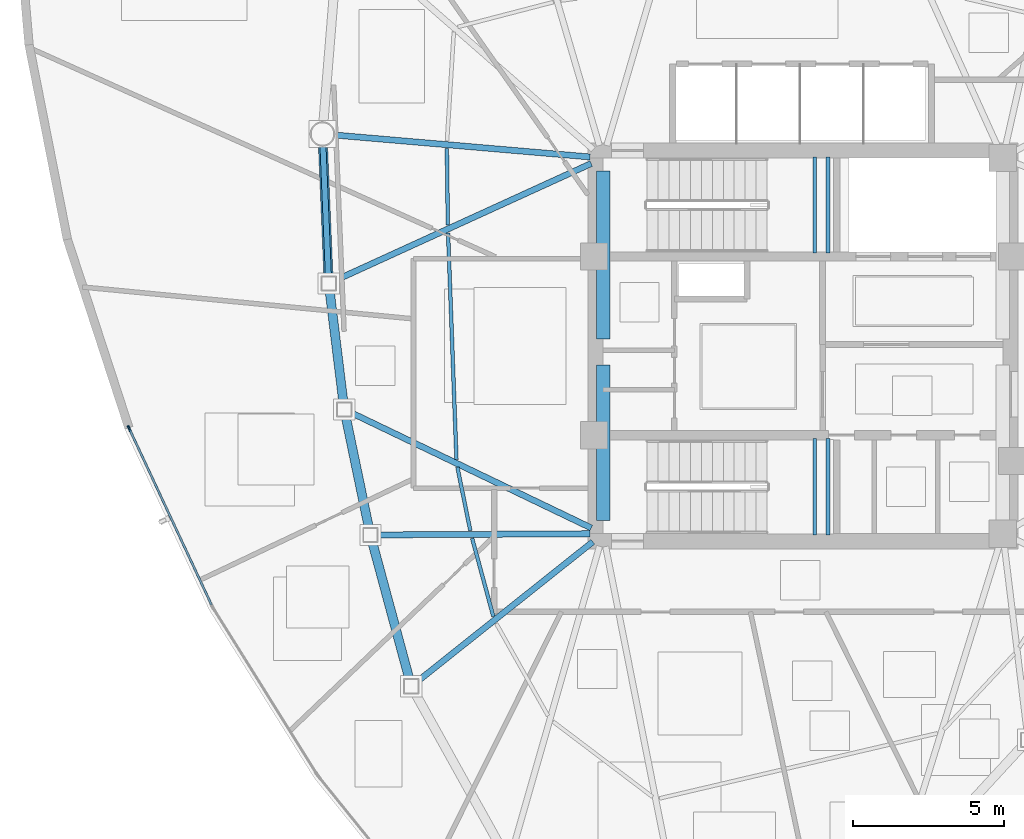
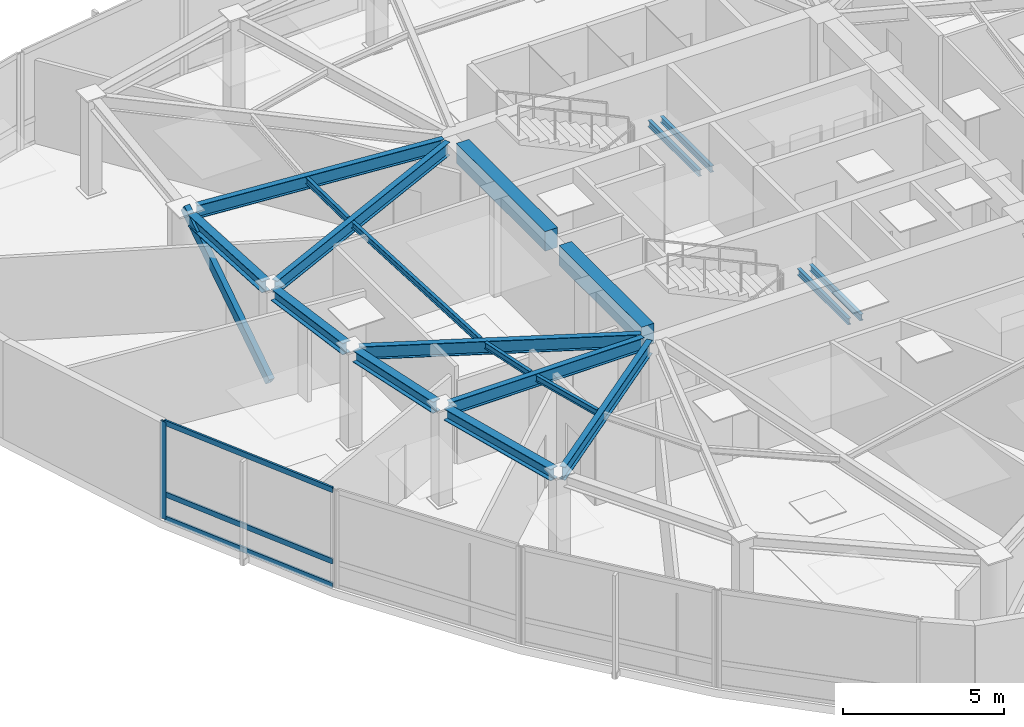
# One storey, part 3 of 12: 19 beams, 5 members, 1 element without a shape of its own.
"""IFC4 building model written with IfcOpenShell, lengths in metres."""

from ifc_helpers import new_model, si_unit, direction, frame, origin, origin_2d, place, context, subcontext, project, spatial, rectangle, hollow_rectangle, i_section, extrude, source, transform, mapped, material, layer, layer_set, material_profile, profile_set, type_object, type_shapes, element, aggregate, save


model = new_model("IFC4")

# Units and contexts
model_context = context("Model", 3, precision=1e-05, world=origin(), true_north=direction((0.0, 1.0)))
body_context = subcontext(model_context, "Body", "Model", "MODEL_VIEW")
ifc_project = project(units=[si_unit("LENGTHUNIT", "METRE"), si_unit("AREAUNIT", "SQUARE_METRE"), si_unit("VOLUMEUNIT", "CUBIC_METRE"), si_unit("PLANEANGLEUNIT", "RADIAN"), si_unit("MASSUNIT", "GRAM", prefix="KILO")], contexts=[model_context])

# Site, building, storey
site_placement = place(None, origin())
site = spatial("IfcSite", under=ifc_project, at=site_placement, CompositionType="ELEMENT")
building_placement = place(site_placement, origin())
building = spatial("IfcBuilding", under=site, at=building_placement, Name="Tavelor Broadcast Tower", CompositionType="ELEMENT")
storey_placement = place(building_placement, frame((0.0, 0.0, 289.5)))
storey = spatial("IfcBuildingStorey", under=building, at=storey_placement, Name="L69", CompositionType="ELEMENT", Elevation=289.5)

# Beams
ifc_material_1 = material(Name="Concrete C40/50", Category="concrete")
ifc_material_profile_1 = material_profile(ifc_material_1, rectangle(XDim=0.449951171875, YDim=0.75, at=origin_2d()), Name="RC 450x750")
ifc_profile_set_1 = profile_set([ifc_material_profile_1], Name="Concrete C40/50")
beam_type_1 = type_object("IfcBeamType", Name="Basement Core Trim Beam 450x750", PredefinedType="BEAM", material=ifc_profile_set_1)
beam_1_placement = place(storey_placement, frame((43.39990234375, 45.23193359375, 3.324951171875), z_axis=(0.0, 1.0, 0.0), x_axis=(-1.0, 0.0, 0.0)))
element("IfcBeam", 1, at=beam_1_placement, inside=storey, type_object=beam_type_1, Name="L69 Core West-N Tie Girder", PredefinedType="BEAM", context=body_context, shape_type="SweptSolid", body=[
    extrude(rectangle(XDim=0.449951171875, YDim=0.75, at=origin_2d()), origin(), (0.0, 0.0, 1.0), 5.5361328125),
])
beam_2_placement = place(storey_placement, frame((43.39990234375, 39.23193359375, 3.324951171875), z_axis=(0.0, 1.0, 0.0), x_axis=(-1.0, 0.0, 0.0)))
element("IfcBeam", 2, at=beam_2_placement, inside=storey, type_object=beam_type_1, Name="L69 Core West-S Tie Girder", PredefinedType="BEAM", context=body_context, shape_type="SweptSolid", body=[
    extrude(rectangle(XDim=0.449951171875, YDim=0.75, at=origin_2d()), origin(), (0.0, 0.0, 1.0), 5.135986328125),
])
ifc_material_2 = material(Name="Steel S355", Category="steel")
ifc_material_profile_2 = material_profile(ifc_material_2, i_section(OverallWidth=0.1201171875, OverallDepth=0.239990234375, WebThickness=0.006103515625, FlangeThickness=0.009765625, at=origin_2d()), Name="IPE 240")
ifc_profile_set_2 = profile_set([ifc_material_profile_2], Name="Steel S355")
beam_type_2 = type_object("IfcBeamType", Name="Composite Floor Joist T7 IPE 240", PredefinedType="JOIST", material=ifc_profile_set_2)
beam_3_placement = place(storey_placement, frame((38.241455078125, 51.514404296875, 3.580078125), z_axis=(0.013238113163, -0.999912372341, 0.0), x_axis=(0.999912372341, 0.013238113163, 0.0)))
element("IfcBeam", 3, at=beam_3_placement, inside=storey, type_object=beam_type_2, Name="L69 Secondary Composite Floor Joist 01", PredefinedType="JOIST", context=body_context, shape_type="SweptSolid", body=[
    extrude(i_section(OverallWidth=0.1201171875, OverallDepth=0.239990234375, WebThickness=0.006103515625, FlangeThickness=0.009765625, at=origin_2d()), origin(), (0.0, 0.0, 1.0), 2.526611328125),
])
beam_4_placement = place(storey_placement, frame((38.281494140625, 48.730224609375, 3.580078125), z_axis=(0.037116611217, -0.999310941185, 0.0), x_axis=(0.999310941185, 0.037116611217, 0.0)))
element("IfcBeam", 4, at=beam_4_placement, inside=storey, type_object=beam_type_2, Name="L69 Secondary Composite Floor Joist 02", PredefinedType="JOIST", context=body_context, shape_type="SweptSolid", body=[
    extrude(i_section(OverallWidth=0.1201171875, OverallDepth=0.239990234375, WebThickness=0.006103515625, FlangeThickness=0.009765625, at=origin_2d()), origin(), (0.0, 0.0, 1.0), 7.4853515625),
])
beam_5_placement = place(storey_placement, frame((38.58984375, 40.99462890625, 3.580078125), z_axis=(0.199500807381, -0.979897661929, 0.0), x_axis=(0.979897661929, 0.199500807381, 0.0)))
element("IfcBeam", 5, at=beam_5_placement, inside=storey, type_object=beam_type_2, Name="L69 Secondary Composite Floor Joist 03", PredefinedType="JOIST", context=body_context, shape_type="SweptSolid", body=[
    extrude(i_section(OverallWidth=0.1201171875, OverallDepth=0.239990234375, WebThickness=0.006103515625, FlangeThickness=0.009765625, at=origin_2d()), origin(), (0.0, 0.0, 1.0), 2.135498046875),
])
beam_6_placement = place(storey_placement, frame((39.075439453125, 38.651123046875, 3.580078125), z_axis=(0.261967616798, -0.965076664182, 0.0), x_axis=(0.965076664182, 0.261967616798, 0.0)))
element("IfcBeam", 6, at=beam_6_placement, inside=storey, type_object=beam_type_2, Name="L69 Secondary Composite Floor Joist 04", PredefinedType="JOIST", context=body_context, shape_type="SweptSolid", body=[
    extrude(i_section(OverallWidth=0.1201171875, OverallDepth=0.239990234375, WebThickness=0.006103515625, FlangeThickness=0.009765625, at=origin_2d()), origin(), (0.0, 0.0, 1.0), 2.677490234375),
])
ifc_material_profile_3 = material_profile(ifc_material_2, i_section(OverallWidth=0.300048828125, OverallDepth=0.43994140625, WebThickness=0.011474609375, FlangeThickness=0.02099609375, at=origin_2d()), Name="HEA 450")
ifc_profile_set_3 = profile_set([ifc_material_profile_3], Name="Steel S355")
beam_type_3 = type_object("IfcBeamType", Name="Perimeter Spandrel Beam T7 HEA 450", PredefinedType="SPANDREL", material=ifc_profile_set_3)
beam_7_placement = place(storey_placement, frame((34.151123046875, 51.60595703125, 3.47998046875), z_axis=(0.041873296911, -0.999122928876, 0.0), x_axis=(0.999122928876, 0.041873296911, 0.0)))
element("IfcBeam", 7, at=beam_7_placement, inside=storey, type_object=beam_type_3, Name="L69 Framed-Tube Ring Spandrel 01", PredefinedType="SPANDREL", context=body_context, shape_type="SweptSolid", body=[
    extrude(i_section(OverallWidth=0.300048828125, OverallDepth=0.43994140625, WebThickness=0.011474609375, FlangeThickness=0.02099609375, at=origin_2d()), origin(), (0.0, 0.0, 1.0), 4.30859375),
])
beam_8_placement = place(storey_placement, frame((34.370849609375, 46.822998046875, 3.47998046875), z_axis=(0.122301764237, -0.992492961418, 0.0), x_axis=(0.992492961418, 0.122301764237, 0.0)))
element("IfcBeam", 8, at=beam_8_placement, inside=storey, type_object=beam_type_3, Name="L69 Framed-Tube Ring Spandrel 02", PredefinedType="SPANDREL", context=body_context, shape_type="SweptSolid", body=[
    extrude(i_section(OverallWidth=0.300048828125, OverallDepth=0.43994140625, WebThickness=0.011474609375, FlangeThickness=0.02099609375, at=origin_2d()), origin(), (0.0, 0.0, 1.0), 3.7109375),
])
beam_9_placement = place(storey_placement, frame((34.903076171875, 42.666748046875, 3.47998046875), z_axis=(0.203665911817, -0.979040446746, 0.0), x_axis=(0.979040446746, 0.203665911817, 0.0)))
element("IfcBeam", 9, at=beam_9_placement, inside=storey, type_object=beam_type_3, Name="L69 Framed-Tube Ring Spandrel 03", PredefinedType="SPANDREL", context=body_context, shape_type="SweptSolid", body=[
    extrude(i_section(OverallWidth=0.300048828125, OverallDepth=0.43994140625, WebThickness=0.011474609375, FlangeThickness=0.02099609375, at=origin_2d()), origin(), (0.0, 0.0, 1.0), 3.753173828125),
])
beam_10_placement = place(storey_placement, frame((35.779296875, 38.525390625, 3.47998046875), z_axis=(0.261032085305, -0.965330125108, 0.0), x_axis=(0.965330125108, 0.261032085305, 0.0)))
element("IfcBeam", 10, at=beam_10_placement, inside=storey, type_object=beam_type_3, Name="L69 Framed-Tube Ring Spandrel 04", PredefinedType="SPANDREL", context=body_context, shape_type="SweptSolid", body=[
    extrude(i_section(OverallWidth=0.300048828125, OverallDepth=0.43994140625, WebThickness=0.011474609375, FlangeThickness=0.02099609375, at=origin_2d()), origin(), (0.0, 0.0, 1.0), 4.697021484375),
])

# Member
ifc_material_profile_4 = material_profile(ifc_material_2, hollow_rectangle(XDim=0.199951171875, YDim=0.35009765625, WallThickness=0.01611328125, at=origin_2d()), Name="RHS 350x200x16")
ifc_profile_set_4 = profile_set([ifc_material_profile_4], Name="Steel S355")
member_type_1 = type_object("IfcMemberType", Name="Perimeter Tube Brace T7 RHS 350x200x16", PredefinedType="BRACE", material=ifc_profile_set_4)
member_1_placement = place(storey_placement, frame((34.341552734375, 47.061279296875, 0.0), z_axis=(-0.033508994779, 0.799626685339, 0.599561766095), x_axis=(-0.999123106787, -0.041869051625, 0.0)))
element("IfcMember", 11, at=member_1_placement, inside=storey, type_object=member_type_1, Name="L69 Corner Tube Diagonal Brace 1", PredefinedType="BRACE", context=body_context, shape_type="SweptSolid", body=[
    extrude(hollow_rectangle(XDim=0.199951171875, YDim=0.35009765625, WallThickness=0.01611328125, at=origin_2d()), origin(), (0.0, 0.0, 1.0), 6.171142578125),
])

# Beams
ifc_material_profile_5 = material_profile(ifc_material_2, i_section(OverallWidth=0.199951171875, OverallDepth=0.5, WebThickness=0.01025390625, FlangeThickness=0.01611328125, at=origin_2d()), Name="IPE 500")
ifc_profile_set_5 = profile_set([ifc_material_profile_5], Name="Steel S355")
beam_type_4 = type_object("IfcBeamType", Name="Radial Floor Girder T7 IPE 500", PredefinedType="BEAM", material=ifc_profile_set_5)
beam_11_placement = place(storey_placement, frame((42.969482421875, 51.237060546875, 3.449951171875), z_axis=(-0.996332421592, 0.085566966079, 0.0), x_axis=(-0.085566966079, -0.996332421592, 0.0)))
element("IfcBeam", 12, at=beam_11_placement, inside=storey, type_object=beam_type_4, Name="L69 Radial Primary Floor Girder 01", PredefinedType="BEAM", context=body_context, shape_type="SweptSolid", body=[
    extrude(i_section(OverallWidth=0.199951171875, OverallDepth=0.5, WebThickness=0.01025390625, FlangeThickness=0.01611328125, at=origin_2d()), origin(), (0.0, 0.0, 1.0), 8.476806640625),
])
beam_12_placement = place(storey_placement, frame((43.007080078125, 51.0205078125, 3.449951171875), z_axis=(-0.909555398284, -0.415582696285, 0.0), x_axis=(0.415582696285, -0.909555398284, 0.0)))
element("IfcBeam", 13, at=beam_12_placement, inside=storey, type_object=beam_type_4, Name="L69 Radial Primary Floor Girder 02", PredefinedType="BEAM", context=body_context, shape_type="SweptSolid", body=[
    extrude(i_section(OverallWidth=0.199951171875, OverallDepth=0.5, WebThickness=0.01025390625, FlangeThickness=0.01611328125, at=origin_2d()), origin(), (0.0, 0.0, 1.0), 9.287353515625),
])
beam_13_placement = place(storey_placement, frame((43.010498046875, 38.98681640625, 3.449951171875), z_axis=(-0.901529113374, 0.432718450888, 0.0), x_axis=(-0.432718450888, -0.901529113374, 0.0)))
element("IfcBeam", 14, at=beam_13_placement, inside=storey, type_object=beam_type_4, Name="L69 Radial Primary Floor Girder 03", PredefinedType="BEAM", context=body_context, shape_type="SweptSolid", body=[
    extrude(i_section(OverallWidth=0.199951171875, OverallDepth=0.5, WebThickness=0.01025390625, FlangeThickness=0.01611328125, at=origin_2d()), origin(), (0.0, 0.0, 1.0), 8.80712890625),
])
beam_14_placement = place(storey_placement, frame((42.968017578125, 38.797607421875, 3.449951171875), z_axis=(-0.999984286501, -0.005605956688, 0.0), x_axis=(0.005605956688, -0.999984286501, 0.0)))
element("IfcBeam", 15, at=beam_14_placement, inside=storey, type_object=beam_type_4, Name="L69 Radial Primary Floor Girder 04", PredefinedType="BEAM", context=body_context, shape_type="SweptSolid", body=[
    extrude(i_section(OverallWidth=0.199951171875, OverallDepth=0.5, WebThickness=0.01025390625, FlangeThickness=0.01611328125, at=origin_2d()), origin(), (0.0, 0.0, 1.0), 7.011474609375),
])
beam_15_placement = place(storey_placement, frame((43.06201171875, 38.531005859375, 3.449951171875), z_axis=(-0.782384634469, -0.622795539279, 0.0), x_axis=(0.622795539279, -0.782384634469, 0.0)))
element("IfcBeam", 16, at=beam_15_placement, inside=storey, type_object=beam_type_4, Name="L69 Radial Primary Floor Girder 05", PredefinedType="BEAM", context=body_context, shape_type="SweptSolid", body=[
    extrude(i_section(OverallWidth=0.199951171875, OverallDepth=0.5, WebThickness=0.01025390625, FlangeThickness=0.01611328125, at=origin_2d()), origin(), (0.0, 0.0, 1.0), 7.421142578125),
])
ifc_material_profile_6 = material_profile(ifc_material_2, i_section(OverallWidth=0.1201171875, OverallDepth=0.239990234375, WebThickness=0.006103515625, FlangeThickness=0.009765625, at=origin_2d()), Name="IPE 240")
ifc_profile_set_6 = profile_set([ifc_material_profile_6], Name="Steel S355")
beam_type_5 = type_object("IfcBeamType", Name="Stairwell Landing Support Trimmer Beam IPE240", PredefinedType="BEAM", material=ifc_profile_set_6)
for number, where, z_axis, x_axis, name in (
    (17, (50.385009765625, 48.06005859375, 1.68505859375), (0.0, 1.0, 0.0), (-1.0, 0.0, 0.0), "L69 Stair Landing Support Beam 179"),
    (18, (50.824951171875, 48.06005859375, 1.68505859375), (0.0, 1.0, 0.0), (-1.0, 0.0, 0.0), "L69 Stair Landing Support Beam 180"),
    (19, (50.385009765625, 38.760009765625, 1.68505859375), (0.0, 1.0, 0.0), (-1.0, 0.0, 0.0), "L69 Stair Landing Support Beam 393"),
    (20, (50.824951171875, 38.760009765625, 1.68505859375), (0.0, 1.0, 0.0), (-1.0, 0.0, 0.0), "L69 Stair Landing Support Beam 394"),
):
    element("IfcBeam", number, at=place(storey_placement, frame(where, z_axis=z_axis, x_axis=x_axis)), inside=storey, type_object=beam_type_5, Name=name, PredefinedType="BEAM", context=body_context, shape_type="SweptSolid", body=[
        extrude(i_section(OverallWidth=0.1201171875, OverallDepth=0.239990234375, WebThickness=0.006103515625, FlangeThickness=0.009765625, at=origin_2d()), origin(), (0.0, 0.0, 1.0), 3.179931640625),
    ])

# Curtain wall, members
ifc_material_3 = material(Name="Architectural Anodized Aluminium", Category="aluminium")
ifc_layer = layer(ifc_material_3, 0.199951171875)
ifc_layer_set = layer_set([ifc_layer], Name="Architectural Anodized Aluminium")
curtain_wall_type = type_object("IfcCurtainWallType", Name="Tower High-Zone Triple-Glazed Curtain Wall CW04", PredefinedType="NOTDEFINED", material=ifc_layer_set)
curtain_wall_placement = place(storey_placement, origin())
curtain_wall = element("IfcCurtainWall", 21, at=curtain_wall_placement, inside=storey, type_object=curtain_wall_type, Name="L69 Curtain Wall CW04 Run 757", PredefinedType="NOTDEFINED")
ifc_material_profile_7 = material_profile(ifc_material_3, hollow_rectangle(XDim=0.070068359375, YDim=0.199951171875, WallThickness=0.02197265625, at=origin_2d()), Name="RHS 70x200x22")
ifc_profile_set_7 = profile_set([ifc_material_profile_7], Name="Architectural Anodized Aluminium")
member_type_2 = type_object("IfcMemberType", Name="CW04 Extruded Aluminium Mullion 70x200", PredefinedType="MULLION", material=ifc_profile_set_7)
shared_shape_1 = source(origin(), body_context, "Body", "SweptSolid", [
    extrude(hollow_rectangle(XDim=0.070068359375, YDim=0.199951171875, WallThickness=0.02197265625, at=origin_2d()), origin(), (0.0, 0.0, 1.0), 3.699951171875),
])
type_shapes(member_type_2, [shared_shape_1])
member_2_placement = place(storey_placement, frame((27.75244140625, 42.272705078125, 0.0), z_axis=(0.0, 0.0, 1.0), x_axis=(0.906128776802, 0.423001938354, 0.0)))
member_2 = element("IfcMember", 22, at=member_2_placement, type_object=member_type_2, Name="CW04 mullion 1", PredefinedType="MULLION", context=body_context, shape_type="MappedRepresentation", body=[
    mapped(shared_shape_1, transform((0.0, 0.0, 0.0), scale=1.0)),
])
ifc_material_profile_8 = material_profile(ifc_material_3, hollow_rectangle(XDim=0.070068359375, YDim=0.199951171875, WallThickness=0.02197265625, at=origin_2d()), Name="RHS 70x200x22")
ifc_profile_set_8 = profile_set([ifc_material_profile_8], Name="Architectural Anodized Aluminium")
member_type_3 = type_object("IfcMemberType", Name="CW04 Extruded Aluminium Transom 70x200", PredefinedType="USERDEFINED", material=ifc_profile_set_8)
shared_shape_2 = source(origin(), body_context, "Body", "SweptSolid", [
    extrude(hollow_rectangle(XDim=0.070068359375, YDim=0.199951171875, WallThickness=0.02197265625, at=origin_2d()), origin(), (0.0, 0.0, 1.0), 6.392822265625),
])
type_shapes(member_type_3, [shared_shape_2])
member_3_placement = place(storey_placement, frame((27.767333984375, 42.240966796875, 0.034912109375), z_axis=(0.423023443851, -0.906118737226, 0.0), x_axis=(0.906118737226, 0.423023443851, 0.0)))
member_3 = element("IfcMember", 23, at=member_3_placement, type_object=member_type_3, Name="CW04 transom 1.1", ObjectType="TRANSOM", PredefinedType="USERDEFINED", context=body_context, shape_type="MappedRepresentation", body=[
    mapped(shared_shape_2, transform((0.0, 0.0, 0.0), scale=1.0)),
])
member_4_placement = place(storey_placement, frame((27.767333984375, 42.240966796875, 0.949951171875), z_axis=(0.423023443851, -0.906118737226, 0.0), x_axis=(0.906118737226, 0.423023443851, 0.0)))
member_4 = element("IfcMember", 24, at=member_4_placement, type_object=member_type_3, Name="CW04 transom 1.2", ObjectType="TRANSOM", PredefinedType="USERDEFINED", context=body_context, shape_type="MappedRepresentation", body=[
    mapped(shared_shape_2, transform((0.0, 0.0, 0.0), scale=1.0)),
])
member_5_placement = place(storey_placement, frame((27.767333984375, 42.240966796875, 3.6650390625), z_axis=(0.423023443851, -0.906118737226, 0.0), x_axis=(0.906118737226, 0.423023443851, 0.0)))
member_5 = element("IfcMember", 25, at=member_5_placement, type_object=member_type_3, Name="CW04 transom 1.3", ObjectType="TRANSOM", PredefinedType="USERDEFINED", context=body_context, shape_type="MappedRepresentation", body=[
    mapped(shared_shape_2, transform((0.0, 0.0, 0.0), scale=1.0)),
])
aggregate(curtain_wall, [member_2, member_3, member_4, member_5])

save(model, "model.ifc")
